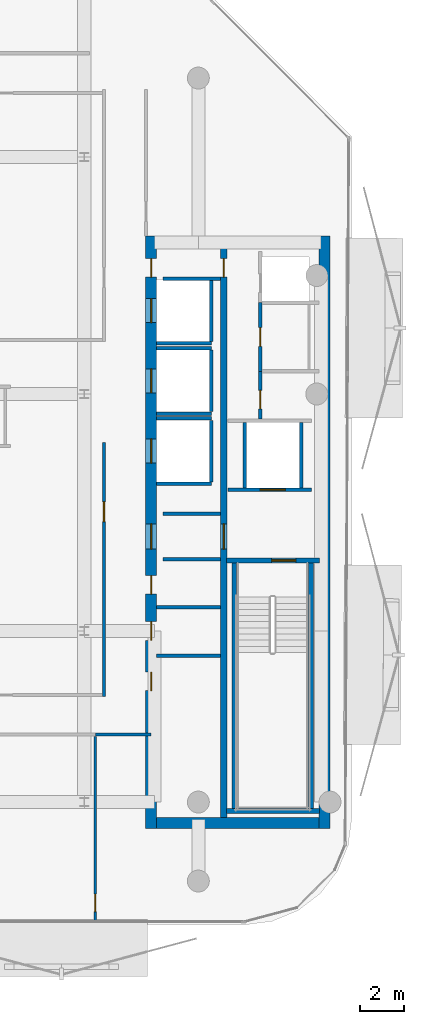
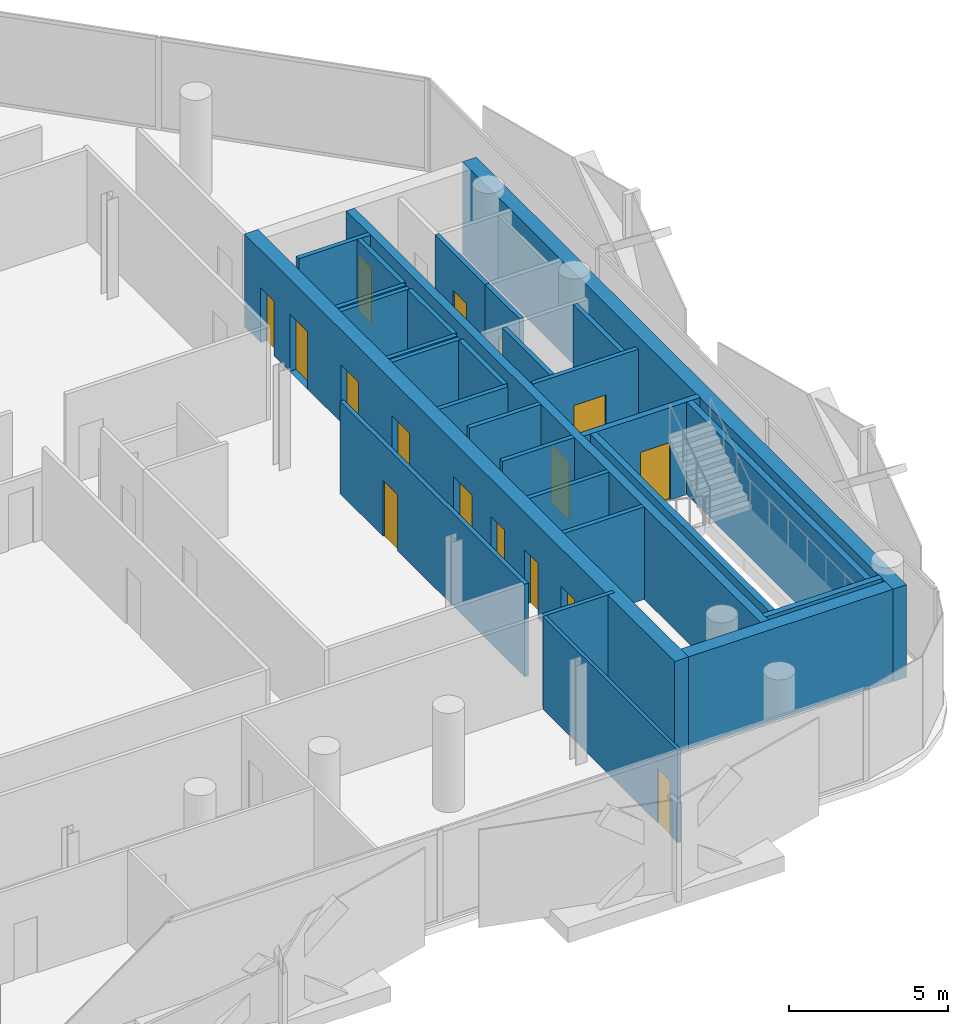
# One storey, part 6 of 16: 29 walls, 16 doors, 16 openings.
"""IFC4 building model written with IfcOpenShell, lengths in metres."""

from ifc_helpers import new_model, si_unit, direction, frame, frame_2d, origin, place, context, subcontext, project, spatial, rectangle, extrude, material, layer, layer_set, type_object, element, fill, save


model = new_model("IFC4")

# Units and contexts
model_context = context("Model", 3, precision=1e-05, world=origin(), true_north=direction((0.0, 1.0)))
body_context = subcontext(model_context, "Body", "Model", "MODEL_VIEW")
ifc_project = project(units=[si_unit("LENGTHUNIT", "METRE"), si_unit("AREAUNIT", "SQUARE_METRE"), si_unit("VOLUMEUNIT", "CUBIC_METRE"), si_unit("PLANEANGLEUNIT", "RADIAN"), si_unit("MASSUNIT", "GRAM", prefix="KILO")], contexts=[model_context])

# Site, building, storey
site_placement = place(None, origin())
site = spatial("IfcSite", under=ifc_project, at=site_placement, CompositionType="ELEMENT")
building_placement = place(site_placement, origin())
building = spatial("IfcBuilding", under=site, at=building_placement, Name="Khairoan Windgate Tower", CompositionType="ELEMENT")
storey_placement = place(building_placement, frame((0.0, 0.0, 292.800048828125)))
storey = spatial("IfcBuildingStorey", under=building, at=storey_placement, Name="L70", CompositionType="ELEMENT", Elevation=292.800048828125)

# Walls
ifc_material_1 = material(Name="Concrete C40/50", Category="concrete")
ifc_layer_1 = layer(ifc_material_1, 0.159912109375, Name="Concrete C40/50")
ifc_layer_set_1 = layer_set([ifc_layer_1], Name="Concrete C40/50")
wall_type_1 = type_object("IfcWallType", Name="Core and Hoistway Enclosure Wall", PredefinedType="STANDARD", material=ifc_layer_set_1)
wall_1_placement = place(storey_placement, frame((12.5, 2.31005859375, 0.0), z_axis=(0.0, 0.0, 1.0), x_axis=(1.0, 0.0, 0.0)))
element("IfcWall", 1, at=wall_1_placement, inside=storey, type_object=wall_type_1, Name="L70 Lift PL7 Hoistway Divider S", PredefinedType="STANDARD", context=body_context, shape_type="SweptSolid", body=[
    extrude(rectangle(XDim=2.489990234375, YDim=0.159912109375, at=frame_2d((1.2451171875, 0.0))), origin(), (0.0, 0.0, 1.0), 3.5400390625),
])
wall_2_placement = place(storey_placement, frame((14.989990234375, 2.39990234375, 0.0), z_axis=(0.0, 0.0, 1.0), x_axis=(0.0, 1.0, 0.0)))
element("IfcWall", 2, at=wall_2_placement, inside=storey, type_object=wall_type_1, Name="L70 Lift PL7 Hoistway Back Wall", PredefinedType="STANDARD", context=body_context, shape_type="SweptSolid", body=[
    extrude(rectangle(XDim=2.800048828125, YDim=0.159912109375, at=frame_2d((1.39990234375, 0.0))), origin(), (0.0, 0.0, 1.0), 3.5400390625),
])
for number, where, z_axis, x_axis, name in (
    (3, (12.5, -0.889892578125, 0.0), (0.0, 0.0, 1.0), (1.0, 0.0, 0.0), "L70 Lift PL8 Hoistway Divider S"),
    (4, (12.5, 2.090087890625, 0.0), (0.0, 0.0, 1.0), (1.0, 0.0, 0.0), "L70 Lift PL8 Hoistway Divider N"),
):
    element("IfcWall", number, at=place(storey_placement, frame(where, z_axis=z_axis, x_axis=x_axis)), inside=storey, type_object=wall_type_1, Name=name, PredefinedType="STANDARD", context=body_context, shape_type="SweptSolid", body=[
        extrude(rectangle(XDim=2.489990234375, YDim=0.159912109375, at=frame_2d((1.2451171875, 0.0))), origin(), (0.0, 0.0, 1.0), 3.5400390625),
    ])
wall_3_placement = place(storey_placement, frame((14.989990234375, -0.800048828125, 0.0), z_axis=(0.0, 0.0, 1.0), x_axis=(0.0, 1.0, 0.0)))
element("IfcWall", 5, at=wall_3_placement, inside=storey, type_object=wall_type_1, Name="L70 Lift PL8 Hoistway Back Wall", PredefinedType="STANDARD", context=body_context, shape_type="SweptSolid", body=[
    extrude(rectangle(XDim=2.800048828125, YDim=0.159912109375, at=frame_2d((1.39990234375, 0.0))), origin(), (0.0, 0.0, 1.0), 3.5400390625),
])
for number, where, z_axis, x_axis, name in (
    (6, (12.5, -4.090087890625, 0.0), (0.0, 0.0, 1.0), (1.0, 0.0, 0.0), "L70 Lift PL9 Hoistway Divider S"),
    (7, (12.5, -1.110107421875, 0.0), (0.0, 0.0, 1.0), (1.0, 0.0, 0.0), "L70 Lift PL9 Hoistway Divider N"),
):
    element("IfcWall", number, at=place(storey_placement, frame(where, z_axis=z_axis, x_axis=x_axis)), inside=storey, type_object=wall_type_1, Name=name, PredefinedType="STANDARD", context=body_context, shape_type="SweptSolid", body=[
        extrude(rectangle(XDim=2.489990234375, YDim=0.159912109375, at=frame_2d((1.2451171875, 0.0))), origin(), (0.0, 0.0, 1.0), 3.5400390625),
    ])
wall_4_placement = place(storey_placement, frame((14.989990234375, -4.0, 0.0), z_axis=(0.0, 0.0, 1.0), x_axis=(0.0, 1.0, 0.0)))
element("IfcWall", 8, at=wall_4_placement, inside=storey, type_object=wall_type_1, Name="L70 Lift PL9 Hoistway Back Wall", PredefinedType="STANDARD", context=body_context, shape_type="SweptSolid", body=[
    extrude(rectangle(XDim=2.800048828125, YDim=0.159912109375, at=frame_2d((1.39990234375, 0.0))), origin(), (0.0, 0.0, 1.0), 3.5400390625),
])

# Wall, opening, door
wall_5_placement = place(storey_placement, frame((15.75, -4.360107421875, 0.0), z_axis=(0.0, 0.0, 1.0), x_axis=(1.0, 0.0, 0.0)))
wall_5 = element("IfcWall", 9, at=wall_5_placement, inside=storey, type_object=wall_type_1, Name="L70 Core Shaft Wall SW-FL1-L70", PredefinedType="STANDARD", context=body_context, shape_type="SweptSolid", body=[
    extrude(rectangle(XDim=3.800048828125, YDim=0.159912109375, at=frame_2d((1.89990234375, 0.0))), origin(), (0.0, 0.0, 1.0), 3.5400390625),
])
opening_1_placement = place(wall_5_placement, frame((1.469970703125, 0.0, 0.0)))
opening_1 = element("IfcOpeningElement", 10, at=opening_1_placement, cuts=wall_5, Name="Opening LD-FL", PredefinedType="OPENING", context=body_context, shape_type="SweptSolid", body=[
    extrude(rectangle(XDim=1.14990234375, YDim=2.199951171875, at=frame_2d((0.574951171875, 1.10009765625))), frame((0.0, 0.08984375, 0.0), z_axis=(0.0, -1.0, 0.0), x_axis=(1.0, 0.0, 0.0)), (0.0, 0.0, 1.0), 0.179931640625),
])
ifc_material_2 = material(Name="Steel S355", Category="steel")
door_type_1 = type_object("IfcDoorType", Name="Firefighting Lift Sliding Landing Door LD-FL 1150x2200", OperationType="DOUBLE_DOOR_SLIDING", PredefinedType="DOOR", material=ifc_material_2)
door_1_placement = place(opening_1_placement, origin())
door_1 = element("IfcDoor", 11, at=door_1_placement, inside=storey, type_object=door_type_1, Name="L70 Firefighting Lift FL1 Landing Door", OperationType="DOUBLE_DOOR_SLIDING", OverallHeight=2.199951171875, OverallWidth=1.14990234375, PredefinedType="DOOR", context=body_context, shape_type="SweptSolid", body=[
    extrude(rectangle(XDim=1.14990234375, YDim=2.199951171875, at=frame_2d((0.574951171875, 1.10009765625))), frame((0.0, 0.02490234375, 0.0), z_axis=(0.0, -1.0, 0.0), x_axis=(1.0, 0.0, 0.0)), (0.0, 0.0, 1.0), 0.050048828125),
])
fill(opening_1, door_1)

# Walls
for number, where, z_axis, x_axis, name in (
    (12, (16.52001953125, -4.280029296875, 0.0), (0.0, 0.0, 1.0), (0.0, 1.0, 0.0), "L70 Core Shaft Wall SW-FL1W-L70"),
    (13, (19.080078125, -4.280029296875, 0.0), (0.0, 0.0, 1.0), (0.0, 1.0, 0.0), "L70 Core Shaft Wall SW-FL1E-L70"),
):
    element("IfcWall", number, at=place(storey_placement, frame(where, z_axis=z_axis, x_axis=x_axis)), inside=storey, type_object=wall_type_1, Name=name, PredefinedType="STANDARD", context=body_context, shape_type="SweptSolid", body=[
        extrude(rectangle(XDim=2.97998046875, YDim=0.159912109375, at=frame_2d((1.489990234375, 0.0))), origin(), (0.0, 0.0, 1.0), 3.5400390625),
    ])
for number, where, z_axis, x_axis, name in (
    (14, (12.800048828125, -5.449951171875, 0.0), (0.0, 0.0, 1.0), (1.0, 0.0, 0.0), "L70 Core Shaft Wall SW-EV1-L70"),
    (15, (12.800048828125, -7.5400390625, 0.0), (0.0, 0.0, 1.0), (1.0, 0.0, 0.0), "L70 Core Shaft Wall SW-EV2-L70"),
    (16, (12.800048828125, 5.25, 0.0), (0.0, 0.0, 1.0), (1.0, 0.0, 0.0), "L70 Core Shaft Wall SW-ESV-L70"),
):
    element("IfcWall", number, at=place(storey_placement, frame(where, z_axis=z_axis, x_axis=x_axis)), inside=storey, type_object=wall_type_1, Name=name, PredefinedType="STANDARD", context=body_context, shape_type="SweptSolid", body=[
        extrude(rectangle(XDim=2.599853515625, YDim=0.159912109375, at=frame_2d((1.2998046875, 0.0))), origin(), (0.0, 0.0, 1.0), 3.5400390625),
    ])

# Wall, opening, door
ifc_material_3 = material(Name="Gypsum Stud Partition", Category="gypsum")
ifc_layer_2 = layer(ifc_material_3, 0.1201171875, Name="Gypsum Stud Partition")
ifc_layer_set_2 = layer_set([ifc_layer_2], Name="Gypsum Stud Partition")
wall_type_2 = type_object("IfcWallType", Name="Internal Room Partition Wall", PredefinedType="PARTITIONING", material=ifc_layer_set_2)
wall_6_placement = place(storey_placement, frame((9.705078125, -24.054931640625, 0.0), z_axis=(0.0, 0.0, 1.0), x_axis=(0.0, 1.0, 0.0)))
wall_6 = element("IfcWall", 17, at=wall_6_placement, inside=storey, type_object=wall_type_2, Name="L70 Interior Partition 056", PredefinedType="PARTITIONING", context=body_context, shape_type="SweptSolid", body=[
    extrude(rectangle(XDim=8.454833984375, YDim=0.1201171875, at=frame_2d((4.2275390625, 0.0))), origin(), (0.0, 0.0, 1.0), 3.5400390625),
])
opening_2_placement = place(wall_6_placement, frame((0.4599609375, 0.0, 0.0)))
opening_2 = element("IfcOpeningElement", 18, at=opening_2_placement, cuts=wall_6, Name="Opening ID-BTH", PredefinedType="OPENING", context=body_context, shape_type="SweptSolid", body=[
    extrude(rectangle(XDim=0.800048828125, YDim=2.10009765625, at=frame_2d((0.39990234375, 1.050048828125))), frame((0.0, 0.070068359375, 0.0), z_axis=(0.0, -1.0, 0.0), x_axis=(1.0, 0.0, 0.0)), (0.0, 0.0, 1.0), 0.14013671875),
])
ifc_material_4 = material(Name="Teak Veneer Timber Leaf", Category="wood")
door_type_2 = type_object("IfcDoorType", Name="Internal Bathroom Door ID-BTH 800x2100", OperationType="NOTDEFINED", PredefinedType="DOOR", material=ifc_material_4)
door_2_placement = place(opening_2_placement, origin())
door_2 = element("IfcDoor", 19, at=door_2_placement, inside=storey, type_object=door_type_2, Name="L70 L70-45-L70-46 Door", OperationType="SINGLE_SWING_LEFT", OverallHeight=2.10009765625, OverallWidth=0.800048828125, PredefinedType="DOOR", context=body_context, shape_type="SweptSolid", body=[
    extrude(rectangle(XDim=0.800048828125, YDim=2.10009765625, at=frame_2d((0.39990234375, 1.050048828125))), frame((0.0, 0.02490234375, 0.0), z_axis=(0.0, -1.0, 0.0), x_axis=(1.0, 0.0, 0.0)), (0.0, 0.0, 1.0), 0.050048828125),
])
fill(opening_2, door_2)

ifc_material_5 = material(Name="Concrete C40/50", Category="concrete")
ifc_layer_3 = layer(ifc_material_5, 0.159912109375, Name="Concrete C40/50")
ifc_layer_set_3 = layer_set([ifc_layer_3], Name="Concrete C40/50")
wall_type_3 = type_object("IfcWallType", Name="Plant and Refuge Compartment Wall", PredefinedType="PARTITIONING", material=ifc_layer_set_3)
wall_7_placement = place(storey_placement, frame((17.22998046875, -1.139892578125, 0.0), z_axis=(0.0, 0.0, 1.0), x_axis=(0.0, 1.0, 0.0)))
wall_7 = element("IfcWall", 20, at=wall_7_placement, inside=storey, type_object=wall_type_3, Name="L70 Interior Partition 009", PredefinedType="PARTITIONING", context=body_context, shape_type="SweptSolid", body=[
    extrude(rectangle(XDim=2.169921875, YDim=0.159912109375, at=frame_2d((1.0849609375, 0.0))), origin(), (0.0, 0.0, 1.0), 3.5400390625),
])
opening_3_placement = place(wall_7_placement, frame((0.4599609375, 0.0, 0.0)))
opening_3 = element("IfcOpeningElement", 21, at=opening_3_placement, cuts=wall_7, Name="Opening FD-SRV", PredefinedType="OPENING", context=body_context, shape_type="SweptSolid", body=[
    extrude(rectangle(XDim=0.85009765625, YDim=2.10009765625, at=frame_2d((0.425048828125, 1.050048828125))), frame((0.0, 0.08984375, 0.0), z_axis=(0.0, -1.0, 0.0), x_axis=(1.0, 0.0, 0.0)), (0.0, 0.0, 1.0), 0.179931640625),
])
ifc_material_6 = material(Name="Steel S355", Category="steel")
door_type_3 = type_object("IfcDoorType", Name="Core Service and Riser Fire Door FD-SRV 850x2100", OperationType="NOTDEFINED", PredefinedType="DOOR", material=ifc_material_6)
door_3_placement = place(opening_3_placement, origin())
door_3 = element("IfcDoor", 22, at=door_3_placement, inside=storey, type_object=door_type_3, Name="L70 L70-17-L70-19 Door", OperationType="SINGLE_SWING_RIGHT", OverallHeight=2.10009765625, OverallWidth=0.85009765625, PredefinedType="DOOR", context=body_context, shape_type="SweptSolid", body=[
    extrude(rectangle(XDim=0.85009765625, YDim=2.10009765625, at=frame_2d((0.425048828125, 1.050048828125))), frame((0.0, 0.02490234375, 0.0), z_axis=(0.0, -1.0, 0.0), x_axis=(1.0, 0.0, 0.0)), (0.0, 0.0, 1.0), 0.050048828125),
])
fill(opening_3, door_3)

wall_8_placement = place(storey_placement, frame((17.22998046875, 1.030029296875, 0.0), z_axis=(0.0, 0.0, 1.0), x_axis=(0.0, 1.0, 0.0)))
wall_8 = element("IfcWall", 23, at=wall_8_placement, inside=storey, type_object=wall_type_3, Name="L70 Interior Partition 010", PredefinedType="PARTITIONING", context=body_context, shape_type="SweptSolid", body=[
    extrude(rectangle(XDim=3.139892578125, YDim=0.159912109375, at=frame_2d((1.56982421875, 0.0))), origin(), (0.0, 0.0, 1.0), 3.5400390625),
])
opening_4_placement = place(wall_8_placement, frame((1.14501953125, 0.0, 0.0)))
opening_4 = element("IfcOpeningElement", 24, at=opening_4_placement, cuts=wall_8, Name="Opening FD-SRV", PredefinedType="OPENING", context=body_context, shape_type="SweptSolid", body=[
    extrude(rectangle(XDim=0.85009765625, YDim=2.10009765625, at=frame_2d((0.425048828125, 1.050048828125))), frame((0.0, 0.08984375, 0.0), z_axis=(0.0, -1.0, 0.0), x_axis=(1.0, 0.0, 0.0)), (0.0, 0.0, 1.0), 0.179931640625),
])
door_4_placement = place(opening_4_placement, origin())
door_4 = element("IfcDoor", 25, at=door_4_placement, inside=storey, type_object=door_type_3, Name="L70 L70-17-L70-20 Door", OperationType="SINGLE_SWING_LEFT", OverallHeight=2.10009765625, OverallWidth=0.85009765625, PredefinedType="DOOR", context=body_context, shape_type="SweptSolid", body=[
    extrude(rectangle(XDim=0.85009765625, YDim=2.10009765625, at=frame_2d((0.425048828125, 1.050048828125))), frame((0.0, 0.02490234375, 0.0), z_axis=(0.0, -1.0, 0.0), x_axis=(1.0, 0.0, 0.0)), (0.0, 0.0, 1.0), 0.050048828125),
])
fill(opening_4, door_4)

# Walls
for number, where, z_axis, x_axis, name in (
    (26, (12.5, -11.919921875, 0.0), (0.0, 0.0, 1.0), (1.0, 0.0, 0.0), "L70 Interior Partition 013"),
    (27, (12.5, -9.719970703125, 0.0), (0.0, 0.0, 1.0), (1.0, 0.0, 0.0), "L70 Interior Partition 014"),
):
    element("IfcWall", number, at=place(storey_placement, frame(where, z_axis=z_axis, x_axis=x_axis)), inside=storey, type_object=wall_type_3, Name=name, PredefinedType="PARTITIONING", context=body_context, shape_type="SweptSolid", body=[
        extrude(rectangle(XDim=2.89990234375, YDim=0.159912109375, at=frame_2d((1.449951171875, 0.0))), origin(), (0.0, 0.0, 1.0), 3.5400390625),
    ])

# Wall, opening, door
ifc_material_7 = material(Name="Acoustic Fire-Rated Gypsum Partition", Category="gypsum")
ifc_layer_4 = layer(ifc_material_7, 0.14990234375, Name="Acoustic Fire-Rated Gypsum Partition")
ifc_layer_set_4 = layer_set([ifc_layer_4], Name="Acoustic Fire-Rated Gypsum Partition")
wall_type_4 = type_object("IfcWallType", Name="Rated Corridor Partition Wall", PredefinedType="PARTITIONING", material=ifc_layer_set_4)
wall_9_placement = place(storey_placement, frame((10.10009765625, -13.794921875, 0.0), z_axis=(0.0, 0.0, 1.0), x_axis=(0.0, 1.0, 0.0)))
wall_9 = element("IfcWall", 28, at=wall_9_placement, inside=storey, type_object=wall_type_4, Name="L70 Interior Partition 019", PredefinedType="PARTITIONING", context=body_context, shape_type="SweptSolid", body=[
    extrude(rectangle(XDim=11.574951171875, YDim=0.14990234375, at=frame_2d((5.78759765625, 0.0))), origin(), (0.0, 0.0, 1.0), 3.5400390625),
])
opening_5_placement = place(wall_9_placement, frame((7.9794921875, 0.0, 0.0)))
opening_5 = element("IfcOpeningElement", 29, at=opening_5_placement, cuts=wall_9, Name="Opening FD-ENT", PredefinedType="OPENING", context=body_context, shape_type="SweptSolid", body=[
    extrude(rectangle(XDim=0.89990234375, YDim=2.14990234375, at=frame_2d((0.449951171875, 1.074951171875))), frame((0.0, 0.0849609375, 0.0), z_axis=(0.0, -1.0, 0.0), x_axis=(1.0, 0.0, 0.0)), (0.0, 0.0, 1.0), 0.169921875),
])
ifc_material_8 = material(Name="Timber Fire-Rated Core", Category="wood")
door_type_4 = type_object("IfcDoorType", Name="Unit and Office Fire Entrance Door FD-ENT 900x2150", OperationType="NOTDEFINED", PredefinedType="DOOR", material=ifc_material_8)
door_5_placement = place(opening_5_placement, origin())
door_5 = element("IfcDoor", 30, at=door_5_placement, inside=storey, type_object=door_type_4, Name="L70 L70-30-L70-54 Door", OperationType="SINGLE_SWING_RIGHT", OverallHeight=2.14990234375, OverallWidth=0.89990234375, PredefinedType="DOOR", context=body_context, shape_type="SweptSolid", body=[
    extrude(rectangle(XDim=0.89990234375, YDim=2.14990234375, at=frame_2d((0.449951171875, 1.074951171875))), frame((0.0, 0.02490234375, 0.0), z_axis=(0.0, -1.0, 0.0), x_axis=(1.0, 0.0, 0.0)), (0.0, 0.0, 1.0), 0.050048828125),
])
fill(opening_5, door_5)

# Wall
wall_10_placement = place(storey_placement, frame((9.705078125, -15.52490234375, 0.0), z_axis=(0.0, 0.0, 1.0), x_axis=(1.0, 0.0, 0.0)))
element("IfcWall", 31, at=wall_10_placement, inside=storey, type_object=wall_type_4, Name="L70 Interior Partition 036", PredefinedType="PARTITIONING", context=body_context, shape_type="SweptSolid", body=[
    extrude(rectangle(XDim=2.534912109375, YDim=0.14990234375, at=frame_2d((1.267578125, 0.0))), origin(), (0.0, 0.0, 1.0), 3.5400390625),
])

# Wall, openings, doors
ifc_material_9 = material(Name="Concrete C50/60", Category="concrete")
ifc_layer_5 = layer(ifc_material_9, 0.5, Name="Concrete C50/60")
ifc_layer_set_5 = layer_set([ifc_layer_5], Name="Concrete C50/60")
wall_type_5 = type_object("IfcWallType", Name="Shear Wall CW-E3 500mm", PredefinedType="SHEAR", material=ifc_layer_set_5)
wall_11_placement = place(storey_placement, frame((12.25, -19.800048828125, 0.0), z_axis=(0.0, 0.0, 1.0), x_axis=(0.0, 1.0, 0.0)))
wall_11 = element("IfcWall", 32, at=wall_11_placement, inside=storey, type_object=wall_type_5, Name="E Core West Shear Wall L70", PredefinedType="SHEAR", context=body_context, shape_type="SweptSolid", body=[
    extrude(rectangle(XDim=27.0, YDim=0.5, at=frame_2d((13.5, 0.0))), origin(), (0.0, 0.0, 1.0), 3.5400390625),
])
opening_6_placement = place(wall_11_placement, frame((23.050048828125, 0.0, 0.0)))
opening_6 = element("IfcOpeningElement", 33, at=opening_6_placement, cuts=wall_11, Name="Opening LD-PL", PredefinedType="OPENING", context=body_context, shape_type="SweptSolid", body=[
    extrude(rectangle(XDim=1.10009765625, YDim=2.199951171875, at=frame_2d((0.550048828125, 1.10009765625))), frame((0.0, 0.260009765625, 0.0), z_axis=(0.0, -1.0, 0.0), x_axis=(1.0, 0.0, 0.0)), (0.0, 0.0, 1.0), 0.52001953125),
])
opening_7_placement = place(wall_11_placement, frame((19.85009765625, 0.0, 0.0)))
opening_7 = element("IfcOpeningElement", 34, at=opening_7_placement, cuts=wall_11, Name="Opening LD-PL", PredefinedType="OPENING", context=body_context, shape_type="SweptSolid", body=[
    extrude(rectangle(XDim=1.10009765625, YDim=2.199951171875, at=frame_2d((0.550048828125, 1.10009765625))), frame((0.0, 0.260009765625, 0.0), z_axis=(0.0, -1.0, 0.0), x_axis=(1.0, 0.0, 0.0)), (0.0, 0.0, 1.0), 0.52001953125),
])
opening_8_placement = place(wall_11_placement, frame((16.64990234375, 0.0, 0.0)))
opening_8 = element("IfcOpeningElement", 35, at=opening_8_placement, cuts=wall_11, Name="Opening LD-PL", PredefinedType="OPENING", context=body_context, shape_type="SweptSolid", body=[
    extrude(rectangle(XDim=1.10009765625, YDim=2.199951171875, at=frame_2d((0.550048828125, 1.10009765625))), frame((0.0, 0.260009765625, 0.0), z_axis=(0.0, -1.0, 0.0), x_axis=(1.0, 0.0, 0.0)), (0.0, 0.0, 1.0), 0.52001953125),
])
opening_9_placement = place(wall_11_placement, frame((6.27490234375, 0.0, 0.0)))
opening_9 = element("IfcOpeningElement", 36, at=opening_9_placement, cuts=wall_11, Name="Opening FD-SRV", PredefinedType="OPENING", context=body_context, shape_type="SweptSolid", body=[
    extrude(rectangle(XDim=0.85009765625, YDim=2.10009765625, at=frame_2d((0.425048828125, 1.050048828125))), frame((0.0, 0.260009765625, 0.0), z_axis=(0.0, -1.0, 0.0), x_axis=(1.0, 0.0, 0.0)), (0.0, 0.0, 1.0), 0.52001953125),
])
opening_10_placement = place(wall_11_placement, frame((8.574951171875, 0.0, 0.0)))
opening_10 = element("IfcOpeningElement", 37, at=opening_10_placement, cuts=wall_11, Name="Opening FD-SRV", PredefinedType="OPENING", context=body_context, shape_type="SweptSolid", body=[
    extrude(rectangle(XDim=0.85009765625, YDim=2.10009765625, at=frame_2d((0.425048828125, 1.050048828125))), frame((0.0, 0.260009765625, 0.0), z_axis=(0.0, -1.0, 0.0), x_axis=(1.0, 0.0, 0.0)), (0.0, 0.0, 1.0), 0.52001953125),
])
opening_11_placement = place(wall_11_placement, frame((10.675048828125, 0.0, 0.0)))
opening_11 = element("IfcOpeningElement", 38, at=opening_11_placement, cuts=wall_11, Name="Opening FD-SRV", PredefinedType="OPENING", context=body_context, shape_type="SweptSolid", body=[
    extrude(rectangle(XDim=0.85009765625, YDim=2.10009765625, at=frame_2d((0.425048828125, 1.050048828125))), frame((0.0, 0.260009765625, 0.0), z_axis=(0.0, -1.0, 0.0), x_axis=(1.0, 0.0, 0.0)), (0.0, 0.0, 1.0), 0.52001953125),
])
opening_12_placement = place(wall_11_placement, frame((12.72509765625, 0.0, 0.0)))
opening_12 = element("IfcOpeningElement", 39, at=opening_12_placement, cuts=wall_11, Name="Opening FD-FFL", PredefinedType="OPENING", context=body_context, shape_type="SweptSolid", body=[
    extrude(rectangle(XDim=1.14990234375, YDim=2.199951171875, at=frame_2d((0.574951171875, 1.10009765625))), frame((0.0, 0.260009765625, 0.0), z_axis=(0.0, -1.0, 0.0), x_axis=(1.0, 0.0, 0.0)), (0.0, 0.0, 1.0), 0.52001953125),
])
opening_13_placement = place(wall_11_placement, frame((25.125, 0.0, 0.0)))
opening_13 = element("IfcOpeningElement", 40, at=opening_13_placement, cuts=wall_11, Name="Opening FD-SRV", PredefinedType="OPENING", context=body_context, shape_type="SweptSolid", body=[
    extrude(rectangle(XDim=0.85009765625, YDim=2.10009765625, at=frame_2d((0.425048828125, 1.050048828125))), frame((0.0, 0.260009765625, 0.0), z_axis=(0.0, -1.0, 0.0), x_axis=(1.0, 0.0, 0.0)), (0.0, 0.0, 1.0), 0.52001953125),
])
door_6_placement = place(opening_9_placement, origin())
door_6 = element("IfcDoor", 41, at=door_6_placement, inside=storey, type_object=door_type_3, Name="L70 East Core Service Room Door 1", OperationType="SINGLE_SWING_LEFT", OverallHeight=2.10009765625, OverallWidth=0.85009765625, PredefinedType="DOOR", context=body_context, shape_type="SweptSolid", body=[
    extrude(rectangle(XDim=0.85009765625, YDim=2.10009765625, at=frame_2d((0.425048828125, 1.050048828125))), frame((0.0, 0.02490234375, 0.0), z_axis=(0.0, -1.0, 0.0), x_axis=(1.0, 0.0, 0.0)), (0.0, 0.0, 1.0), 0.050048828125),
])
fill(opening_9, door_6)
door_7_placement = place(opening_10_placement, origin())
door_7 = element("IfcDoor", 42, at=door_7_placement, inside=storey, type_object=door_type_3, Name="L70 East Core Service Room Door 2", OperationType="SINGLE_SWING_RIGHT", OverallHeight=2.10009765625, OverallWidth=0.85009765625, PredefinedType="DOOR", context=body_context, shape_type="SweptSolid", body=[
    extrude(rectangle(XDim=0.85009765625, YDim=2.10009765625, at=frame_2d((0.425048828125, 1.050048828125))), frame((0.0, 0.02490234375, 0.0), z_axis=(0.0, -1.0, 0.0), x_axis=(1.0, 0.0, 0.0)), (0.0, 0.0, 1.0), 0.050048828125),
])
fill(opening_10, door_7)
door_8_placement = place(opening_11_placement, origin())
door_8 = element("IfcDoor", 43, at=door_8_placement, inside=storey, type_object=door_type_3, Name="L70 East Core Service Room Door 3", OperationType="SINGLE_SWING_LEFT", OverallHeight=2.10009765625, OverallWidth=0.85009765625, PredefinedType="DOOR", context=body_context, shape_type="SweptSolid", body=[
    extrude(rectangle(XDim=0.85009765625, YDim=2.10009765625, at=frame_2d((0.425048828125, 1.050048828125))), frame((0.0, 0.02490234375, 0.0), z_axis=(0.0, -1.0, 0.0), x_axis=(1.0, 0.0, 0.0)), (0.0, 0.0, 1.0), 0.050048828125),
])
fill(opening_11, door_8)
door_9_placement = place(opening_13_placement, origin())
door_9 = element("IfcDoor", 44, at=door_9_placement, inside=storey, type_object=door_type_3, Name="L70 East Core Service Vestibule Outer Door", OperationType="SINGLE_SWING_RIGHT", OverallHeight=2.10009765625, OverallWidth=0.85009765625, PredefinedType="DOOR", context=body_context, shape_type="SweptSolid", body=[
    extrude(rectangle(XDim=0.85009765625, YDim=2.10009765625, at=frame_2d((0.425048828125, 1.050048828125))), frame((0.0, 0.02490234375, 0.0), z_axis=(0.0, -1.0, 0.0), x_axis=(1.0, 0.0, 0.0)), (0.0, 0.0, 1.0), 0.050048828125),
])
fill(opening_13, door_9)
ifc_material_10 = material(Name="Steel S355", Category="steel")
door_type_5 = type_object("IfcDoorType", Name="Firefighting Lobby Fire Door FD-FFL 1150x2200", OperationType="NOTDEFINED", PredefinedType="DOOR", material=ifc_material_10)
door_10_placement = place(opening_12_placement, origin())
door_10 = element("IfcDoor", 45, at=door_10_placement, inside=storey, type_object=door_type_5, Name="L70 East Core Vestibule Entry Door", OperationType="SINGLE_SWING_RIGHT", OverallHeight=2.199951171875, OverallWidth=1.14990234375, PredefinedType="DOOR", context=body_context, shape_type="SweptSolid", body=[
    extrude(rectangle(XDim=1.14990234375, YDim=2.199951171875, at=frame_2d((0.574951171875, 1.10009765625))), frame((0.0, 0.02490234375, 0.0), z_axis=(0.0, -1.0, 0.0), x_axis=(1.0, 0.0, 0.0)), (0.0, 0.0, 1.0), 0.050048828125),
])
fill(opening_12, door_10)
ifc_material_11 = material(Name="Anodised Bronze Aluminium 6063-T6", Category="aluminium")
door_type_6 = type_object("IfcDoorType", Name="Passenger Lift Sliding Landing Door LD-PL 1100x2200", OperationType="DOUBLE_DOOR_SLIDING", PredefinedType="DOOR", material=ifc_material_11)
door_11_placement = place(opening_6_placement, origin())
door_11 = element("IfcDoor", 46, at=door_11_placement, inside=storey, type_object=door_type_6, Name="L70 Lift PL7 Sliding Landing Door", OperationType="DOUBLE_DOOR_SLIDING", OverallHeight=2.199951171875, OverallWidth=1.10009765625, PredefinedType="DOOR", context=body_context, shape_type="SweptSolid", body=[
    extrude(rectangle(XDim=1.10009765625, YDim=2.199951171875, at=frame_2d((0.550048828125, 1.10009765625))), frame((0.0, 0.02490234375, 0.0), z_axis=(0.0, -1.0, 0.0), x_axis=(1.0, 0.0, 0.0)), (0.0, 0.0, 1.0), 0.050048828125),
])
fill(opening_6, door_11)
door_12_placement = place(opening_7_placement, origin())
door_12 = element("IfcDoor", 47, at=door_12_placement, inside=storey, type_object=door_type_6, Name="L70 Lift PL8 Sliding Landing Door", OperationType="DOUBLE_DOOR_SLIDING", OverallHeight=2.199951171875, OverallWidth=1.10009765625, PredefinedType="DOOR", context=body_context, shape_type="SweptSolid", body=[
    extrude(rectangle(XDim=1.10009765625, YDim=2.199951171875, at=frame_2d((0.550048828125, 1.10009765625))), frame((0.0, 0.02490234375, 0.0), z_axis=(0.0, -1.0, 0.0), x_axis=(1.0, 0.0, 0.0)), (0.0, 0.0, 1.0), 0.050048828125),
])
fill(opening_7, door_12)
door_13_placement = place(opening_8_placement, origin())
door_13 = element("IfcDoor", 48, at=door_13_placement, inside=storey, type_object=door_type_6, Name="L70 Lift PL9 Sliding Landing Door", OperationType="DOUBLE_DOOR_SLIDING", OverallHeight=2.199951171875, OverallWidth=1.10009765625, PredefinedType="DOOR", context=body_context, shape_type="SweptSolid", body=[
    extrude(rectangle(XDim=1.10009765625, YDim=2.199951171875, at=frame_2d((0.550048828125, 1.10009765625))), frame((0.0, 0.02490234375, 0.0), z_axis=(0.0, -1.0, 0.0), x_axis=(1.0, 0.0, 0.0)), (0.0, 0.0, 1.0), 0.050048828125),
])
fill(opening_8, door_13)

# Walls
wall_12_placement = place(storey_placement, frame((20.14990234375, -19.800048828125, 0.0), z_axis=(0.0, 0.0, 1.0), x_axis=(0.0, 1.0, 0.0)))
element("IfcWall", 49, at=wall_12_placement, inside=storey, type_object=wall_type_5, Name="E Core East Shear Wall L70", PredefinedType="SHEAR", context=body_context, shape_type="SweptSolid", body=[
    extrude(rectangle(XDim=27.0, YDim=0.5, at=frame_2d((13.5, 0.0))), origin(), (0.0, 0.0, 1.0), 3.5400390625),
])
wall_13_placement = place(storey_placement, frame((12.5, -19.550048828125, 0.0), z_axis=(0.0, 0.0, 1.0), x_axis=(1.0, 0.0, 0.0)))
element("IfcWall", 50, at=wall_13_placement, inside=storey, type_object=wall_type_5, Name="E Core South Shear Wall L70", PredefinedType="SHEAR", context=body_context, shape_type="SweptSolid", body=[
    extrude(rectangle(XDim=7.39990234375, YDim=0.5, at=frame_2d((3.699951171875, 0.0))), origin(), (0.0, 0.0, 1.0), 3.5400390625),
])

# Wall, openings, doors
ifc_material_12 = material(Name="Concrete C50/60", Category="concrete")
ifc_layer_6 = layer(ifc_material_12, 0.300048828125, Name="Concrete C50/60")
ifc_layer_set_6 = layer_set([ifc_layer_6], Name="Concrete C50/60")
wall_type_6 = type_object("IfcWallType", Name="Shear Wall SW-2 300mm", PredefinedType="SHEAR", material=ifc_layer_set_6)
wall_14_placement = place(storey_placement, frame((15.550048828125, -19.300048828125, 0.0), z_axis=(0.0, 0.0, 1.0), x_axis=(0.0, 1.0, 0.0)))
wall_14 = element("IfcWall", 51, at=wall_14_placement, inside=storey, type_object=wall_type_6, Name="E Core Spine Shear Wall L70", PredefinedType="SHEAR", context=body_context, shape_type="SweptSolid", body=[
    extrude(rectangle(XDim=26.0, YDim=0.300048828125, at=frame_2d((13.0, 0.0))), origin(), (0.0, 0.0, 1.0), 3.5400390625),
])
opening_14_placement = place(wall_14_placement, frame((12.22509765625, 0.0, 0.0)))
opening_14 = element("IfcOpeningElement", 52, at=opening_14_placement, cuts=wall_14, Name="Opening FD-FFL", PredefinedType="OPENING", context=body_context, shape_type="SweptSolid", body=[
    extrude(rectangle(XDim=1.14990234375, YDim=2.199951171875, at=frame_2d((0.574951171875, 1.10009765625))), frame((0.0, 0.159912109375, 0.0), z_axis=(0.0, -1.0, 0.0), x_axis=(1.0, 0.0, 0.0)), (0.0, 0.0, 1.0), 0.320068359375),
])
opening_15_placement = place(wall_14_placement, frame((24.625, 0.0, 0.0)))
opening_15 = element("IfcOpeningElement", 53, at=opening_15_placement, cuts=wall_14, Name="Opening FD-SRV", PredefinedType="OPENING", context=body_context, shape_type="SweptSolid", body=[
    extrude(rectangle(XDim=0.85009765625, YDim=2.10009765625, at=frame_2d((0.425048828125, 1.050048828125))), frame((0.0, 0.159912109375, 0.0), z_axis=(0.0, -1.0, 0.0), x_axis=(1.0, 0.0, 0.0)), (0.0, 0.0, 1.0), 0.320068359375),
])
door_14_placement = place(opening_15_placement, origin())
door_14 = element("IfcDoor", 54, at=door_14_placement, inside=storey, type_object=door_type_3, Name="L70 East Core Service Passage Inner Door", OperationType="SINGLE_SWING_LEFT", OverallHeight=2.10009765625, OverallWidth=0.85009765625, PredefinedType="DOOR", context=body_context, shape_type="SweptSolid", body=[
    extrude(rectangle(XDim=0.85009765625, YDim=2.10009765625, at=frame_2d((0.425048828125, 1.050048828125))), frame((0.0, 0.02490234375, 0.0), z_axis=(0.0, -1.0, 0.0), x_axis=(1.0, 0.0, 0.0)), (0.0, 0.0, 1.0), 0.050048828125),
])
fill(opening_15, door_14)
door_15_placement = place(opening_14_placement, origin())
door_15 = element("IfcDoor", 55, at=door_15_placement, inside=storey, type_object=door_type_5, Name="L70 East Firefighting Lobby Fire Door", OperationType="SINGLE_SWING_LEFT", OverallHeight=2.199951171875, OverallWidth=1.14990234375, PredefinedType="DOOR", context=body_context, shape_type="SweptSolid", body=[
    extrude(rectangle(XDim=1.14990234375, YDim=2.199951171875, at=frame_2d((0.574951171875, 1.10009765625))), frame((0.0, 0.02490234375, 0.0), z_axis=(0.0, -1.0, 0.0), x_axis=(1.0, 0.0, 0.0)), (0.0, 0.0, 1.0), 0.050048828125),
])
fill(opening_14, door_15)

# Walls
ifc_material_13 = material(Name="Concrete C50/60", Category="concrete")
ifc_layer_7 = layer(ifc_material_13, 0.219970703125, Name="Concrete C50/60")
ifc_layer_set_7 = layer_set([ifc_layer_7], Name="Concrete C50/60")
wall_type_7 = type_object("IfcWallType", Name="Shear Wall SW-ST 220mm", PredefinedType="SHEAR", material=ifc_layer_set_7)
for number, where, z_axis, x_axis, name in (
    (56, (16.0400390625, -19.010009765625, 0.0), (0.0, 0.0, 1.0), (0.0, 1.0, 0.0), "L70 Stair ST1 West Bearing Wall"),
    (57, (19.530029296875, -19.010009765625, 0.0), (0.0, 0.0, 1.0), (0.0, 1.0, 0.0), "L70 Stair ST1 East Bearing Wall"),
):
    element("IfcWall", number, at=place(storey_placement, frame(where, z_axis=z_axis, x_axis=x_axis)), inside=storey, type_object=wall_type_7, Name=name, PredefinedType="SHEAR", context=body_context, shape_type="SweptSolid", body=[
        extrude(rectangle(XDim=11.419921875, YDim=0.219970703125, at=frame_2d((5.7099609375, 0.0))), origin(), (0.0, 0.0, 1.0), 3.5400390625),
    ])
wall_15_placement = place(storey_placement, frame((15.679931640625, -19.010009765625, 0.0), z_axis=(0.0, 0.0, 1.0), x_axis=(1.0, 0.0, 0.0)))
element("IfcWall", 58, at=wall_15_placement, inside=storey, type_object=wall_type_7, Name="L70 Stair ST1 South Bearing Wall", PredefinedType="SHEAR", context=body_context, shape_type="SweptSolid", body=[
    extrude(rectangle(XDim=4.239990234375, YDim=0.219970703125, at=frame_2d((2.1201171875, 0.0))), origin(), (0.0, 0.0, 1.0), 3.5400390625),
])

# Wall, opening, door
wall_16_placement = place(storey_placement, frame((19.919921875, -7.590087890625, 0.0), z_axis=(0.0, 0.0, 1.0), x_axis=(-1.0, 0.0, 0.0)))
wall_16 = element("IfcWall", 59, at=wall_16_placement, inside=storey, type_object=wall_type_7, Name="L70 Stair ST1 North Bearing Wall", PredefinedType="SHEAR", context=body_context, shape_type="SweptSolid", body=[
    extrude(rectangle(XDim=4.239990234375, YDim=0.219970703125, at=frame_2d((2.1201171875, 0.0))), origin(), (0.0, 0.0, 1.0), 3.5400390625),
])
opening_16_placement = place(wall_16_placement, frame((1.080078125, 0.0, 0.0)))
opening_16 = element("IfcOpeningElement", 60, at=opening_16_placement, cuts=wall_16, Name="Opening FD-ST", PredefinedType="OPENING", context=body_context, shape_type="SweptSolid", body=[
    extrude(rectangle(XDim=1.10009765625, YDim=2.199951171875, at=frame_2d((0.550048828125, 1.10009765625))), frame((0.0, 0.119873046875, 0.0), z_axis=(0.0, -1.0, 0.0), x_axis=(1.0, 0.0, 0.0)), (0.0, 0.0, 1.0), 0.239990234375),
])
ifc_material_14 = material(Name="Steel S355", Category="steel")
door_type_7 = type_object("IfcDoorType", Name="Smokeproof Stair Fire Door FD-ST 1100x2200", OperationType="NOTDEFINED", PredefinedType="DOOR", material=ifc_material_14)
door_16_placement = place(opening_16_placement, origin())
door_16 = element("IfcDoor", 61, at=door_16_placement, inside=storey, type_object=door_type_7, Name="L70 Stair ST1 Fire Door", OperationType="SINGLE_SWING_LEFT", OverallHeight=2.199951171875, OverallWidth=1.10009765625, PredefinedType="DOOR", context=body_context, shape_type="SweptSolid", body=[
    extrude(rectangle(XDim=1.10009765625, YDim=2.199951171875, at=frame_2d((0.550048828125, 1.10009765625))), frame((0.0, 0.02490234375, 0.0), z_axis=(0.0, -1.0, 0.0), x_axis=(1.0, 0.0, 0.0)), (0.0, 0.0, 1.0), 0.050048828125),
])
fill(opening_16, door_16)

save(model, "model.ifc")
